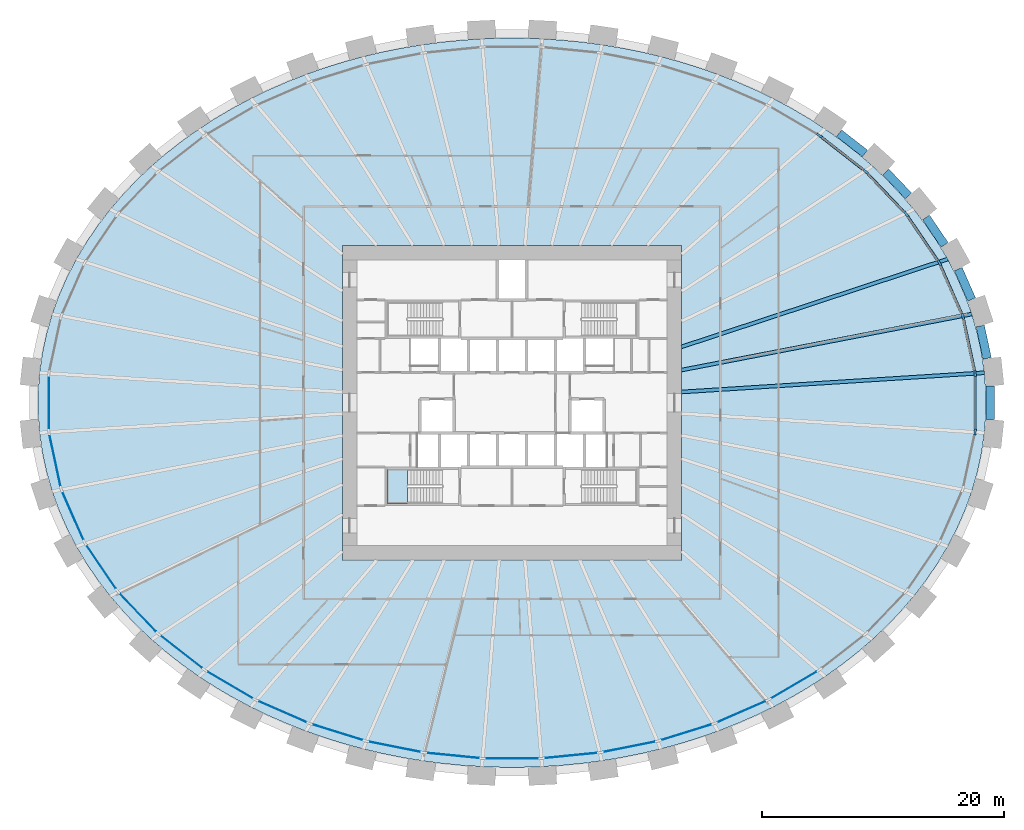
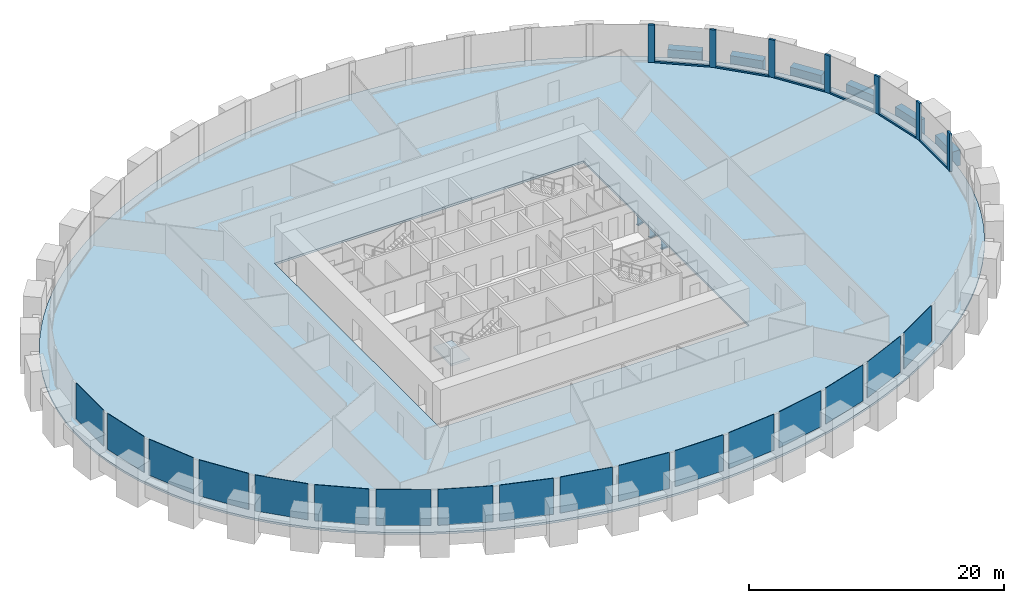
# One storey, part 4 of 10: 17 plates, 13 members, 9 beams, 2 slabs, 2 elements without a shape of their own.
"""IFC4 building model written with IfcOpenShell, lengths in metres."""

import ifcopenshell
import ifcopenshell.guid

model = None  # the IFC model being written
_history = None  # IfcOwnerHistory: only IFC2X3 demands one
_inside = {}  # id of a spatial element -> (the spatial element, [elements in it])
_under = {}  # id of a project, library or spatial element -> (it, [spatial elements below it])
_declared = {}  # id of a project -> (the project, [libraries it declares])
_typed = {}  # id of a type object -> (the type object, [elements of that type])
_made_of = {}  # id of a material, layer set ... -> (it, [elements and type objects made of it])


def new_model(schema):
    """Start an empty IFC model of exactly this schema.

    Asked for "IFC4X3", IfcOpenShell would pick the latest addendum, in which some entities
    have other attributes; the version numbers below select the first issue.
    IFC2X3 requires an IfcOwnerHistory on every rooted entity: one is made here for all.
    """
    global model, _history
    if schema == "IFC4X3":
        model = ifcopenshell.file(schema_version=(4, 3, 0, 0))
    else:
        model = ifcopenshell.file(schema=schema)
    _inside.clear()
    _under.clear()
    _declared.clear()
    _typed.clear()
    _made_of.clear()
    _history = None
    if model.schema == "IFC2X3":
        org = make("IfcOrganization", Name="unknown")
        user = make(
            "IfcPersonAndOrganization",
            ThePerson=make("IfcPerson", FamilyName="unknown"),
            TheOrganization=org,
        )
        app = make(
            "IfcApplication",
            ApplicationDeveloper=org,
            Version="unknown",
            ApplicationFullName="unknown",
            ApplicationIdentifier="unknown",
        )
        _history = make(
            "IfcOwnerHistory",
            OwningUser=user,
            OwningApplication=app,
            ChangeAction="ADDED",
            CreationDate=0,
        )
    return model


def make(cls, **values):
    """One entity of the class cls with the attributes given. An attribute that is None is left unset."""
    return model.create_entity(
        cls, **{name: value for name, value in values.items() if value is not None}
    )


def rooted(cls, **values):
    """An entity with a GlobalId (a new one), such as an element, a storey or a relation."""
    return make(cls, GlobalId=ifcopenshell.guid.new(), OwnerHistory=_history, **values)


def si_unit(unit_type, name, prefix=None):
    """IfcSIUnit, for example si_unit("LENGTHUNIT", "METRE", prefix="MILLI")."""
    return make("IfcSIUnit", UnitType=unit_type, Prefix=prefix, Name=name)


def assignment(units):
    """IfcUnitAssignment: the units of a project."""
    return None if units is None else make("IfcUnitAssignment", Units=units)


def point(xyz):
    """IfcCartesianPoint."""
    return None if xyz is None else make("IfcCartesianPoint", Coordinates=xyz)


def direction(xyz):
    """IfcDirection."""
    return None if xyz is None else make("IfcDirection", DirectionRatios=xyz)


def frame(location, z_axis=None, x_axis=None):
    """IfcAxis2Placement3D, a coordinate frame: its origin and axes. An axis left out is left unset."""
    return make(
        "IfcAxis2Placement3D",
        Location=point(location),
        Axis=direction(z_axis),
        RefDirection=direction(x_axis),
    )


def frame_2d(location, x_axis=None):
    """IfcAxis2Placement2D, a coordinate frame in the plane: its origin and x axis."""
    return make(
        "IfcAxis2Placement2D", Location=point(location), RefDirection=direction(x_axis)
    )


def origin():
    """The frame at (0, 0, 0) with its axes left unset."""
    return frame((0.0, 0.0, 0.0))


def origin_2d():
    """The frame at (0, 0) in the plane with its x axis left unset."""
    return frame_2d((0.0, 0.0))


def place(relative_to, where):
    """IfcLocalPlacement: puts the frame where relative to a parent placement (None: the world)."""
    return make(
        "IfcLocalPlacement", PlacementRelTo=relative_to, RelativePlacement=where
    )


def context(
    kind, dimensions, precision=None, world=None, true_north=None, identifier=None
):
    """IfcGeometricRepresentationContext, for example the 3D "Model" context."""
    return make(
        "IfcGeometricRepresentationContext",
        ContextIdentifier=identifier,
        ContextType=kind,
        CoordinateSpaceDimension=dimensions,
        Precision=precision,
        WorldCoordinateSystem=world,
        TrueNorth=true_north,
    )


def subcontext(parent, identifier, kind, view, scale=None):
    """IfcGeometricRepresentationSubContext, for example "Body" below "Model"."""
    return make(
        "IfcGeometricRepresentationSubContext",
        ContextIdentifier=identifier,
        ContextType=kind,
        ParentContext=parent,
        TargetScale=scale,
        TargetView=view,
    )


def project(units=None, contexts=None):
    """IfcProject with its units and contexts."""
    return rooted(
        "IfcProject",
        Name="project",
        RepresentationContexts=contexts,
        UnitsInContext=assignment(units),
    )


def spatial(cls, under=None, at=None, **own):
    """A site, building, storey or space (cls), placed at a placement, below another one or the project."""
    s = rooted(cls, ObjectPlacement=at, **own)
    if under is not None:
        _under.setdefault(under.id(), (under, []))[1].append(s)
    return s


def polyline(points):
    """IfcPolyline through the points."""
    return make("IfcPolyline", Points=[point(p) for p in points])


def profile(cls, at=None, kind="AREA", **sizes):
    """A parametric profile (cls). Its sizes go by their IFC names, for example OverallWidth=200.0."""
    return make(cls, ProfileType=kind, Position=at, **sizes)


def rectangle(**sizes):
    """IfcRectangleProfileDef."""
    return profile("IfcRectangleProfileDef", **sizes)


def i_section(**sizes):
    """IfcIShapeProfileDef."""
    return profile("IfcIShapeProfileDef", **sizes)


def outline(outer, holes=None, kind="AREA"):
    """IfcArbitraryClosedProfileDef: a profile drawn as a closed curve; with holes, ...WithVoids."""
    if holes is None:
        return make("IfcArbitraryClosedProfileDef", ProfileType=kind, OuterCurve=outer)
    return make(
        "IfcArbitraryProfileDefWithVoids",
        ProfileType=kind,
        OuterCurve=outer,
        InnerCurves=holes,
    )


def extrude(swept, where, along, depth):
    """IfcExtrudedAreaSolid: the profile swept, set in the frame where, extruded along a direction by depth."""
    return make(
        "IfcExtrudedAreaSolid",
        SweptArea=swept,
        Position=where,
        ExtrudedDirection=direction(along),
        Depth=depth,
    )


def shape(context_of_items, identifier, shape_type, items):
    """IfcShapeRepresentation: the items that make up one representation, for example the "Body"."""
    return make(
        "IfcShapeRepresentation",
        ContextOfItems=context_of_items,
        RepresentationIdentifier=identifier,
        RepresentationType=shape_type,
        Items=items,
    )


def source(mapping_origin, context_of_items, identifier, shape_type, items):
    """IfcRepresentationMap: a shape defined once, which mapped items show again and again."""
    return make(
        "IfcRepresentationMap",
        MappingOrigin=mapping_origin,
        MappedRepresentation=shape(context_of_items, identifier, shape_type, items),
    )


def transform(
    local_origin,
    x_axis=None,
    y_axis=None,
    z_axis=None,
    scale=None,
    scale2=None,
    scale3=None,
    uniform=True,
):
    """IfcCartesianTransformationOperator3D, or its non-uniform kind. x_axis, y_axis, z_axis: its Axis1, 2, 3."""
    if uniform:
        return make(
            "IfcCartesianTransformationOperator3D",
            Axis1=direction(x_axis),
            Axis2=direction(y_axis),
            LocalOrigin=point(local_origin),
            Scale=scale,
            Axis3=direction(z_axis),
        )
    return make(
        "IfcCartesianTransformationOperator3DnonUniform",
        Axis1=direction(x_axis),
        Axis2=direction(y_axis),
        LocalOrigin=point(local_origin),
        Scale=scale,
        Axis3=direction(z_axis),
        Scale2=scale2,
        Scale3=scale3,
    )


def mapped(mapping_source, mapping_target):
    """IfcMappedItem: shows the shape of a source again, moved by a transform."""
    return make(
        "IfcMappedItem", MappingSource=mapping_source, MappingTarget=mapping_target
    )


def material(Name=None, Category=None):
    """IfcMaterial."""
    return make("IfcMaterial", Name=Name, Category=Category)


def layer(
    of_material, thickness, ventilated=None, Name=None, Category=None, Priority=None
):
    """IfcMaterialLayer: one layer of a wall or slab, of a material (None: an air gap)."""
    return make(
        "IfcMaterialLayer",
        Material=of_material,
        LayerThickness=thickness,
        IsVentilated=ventilated,
        Name=Name,
        Category=Category,
        Priority=Priority,
    )


def layer_set(layers, Name=None):
    """IfcMaterialLayerSet."""
    return make("IfcMaterialLayerSet", MaterialLayers=layers, LayerSetName=Name)


def material_profile(
    of_material, cross_section, Name=None, Category=None, Priority=None
):
    """IfcMaterialProfile: a cross section and its material."""
    return make(
        "IfcMaterialProfile",
        Name=Name,
        Material=of_material,
        Profile=cross_section,
        Priority=Priority,
        Category=Category,
    )


def profile_set(profiles, Name=None, composite=None):
    """IfcMaterialProfileSet."""
    return make(
        "IfcMaterialProfileSet",
        Name=Name,
        MaterialProfiles=profiles,
        CompositeProfile=composite,
    )


def made_of(thing, what):
    """Note that an element or type object is made of a material, layer set ...; save() writes the relation."""
    if what is not None:
        _made_of.setdefault(what.id(), (what, []))[1].append(thing)
    return thing


def type_object(cls, material=None, **own):
    """A type object (cls), such as IfcWallType, which elements share."""
    return made_of(rooted(cls, **own), material)


def element(
    cls,
    number,
    at=None,
    inside=None,
    cuts=None,
    type_object=None,
    material=None,
    context=None,
    identifier="Body",
    shape_type=None,
    held_by="IfcProductDefinitionShape",
    body=None,
    shapes=None,
    **own,
):
    """One element of the class cls, such as IfcWall. Its Tag is "e" and its number.

    at: its placement. inside: the storey or other place that contains it. cuts: it is an
    opening in that element (IfcRelVoidsElement). A single representation is given by context,
    identifier, shape_type and body (its items); several are given by shapes. held_by: the class
    of the entity that holds the representations. save() writes the other relations.
    """
    e = rooted(cls, Tag="e%d" % number, ObjectPlacement=at, **own)
    if body is not None:
        shapes = [shape(context, identifier, shape_type, body)]
    if shapes is not None:
        e.Representation = make(held_by, Representations=shapes)
    if inside is not None:
        _inside.setdefault(inside.id(), (inside, []))[1].append(e)
    if cuts is not None:
        rooted(
            "IfcRelVoidsElement", RelatingBuildingElement=cuts, RelatedOpeningElement=e
        )
    if type_object is not None:
        _typed.setdefault(type_object.id(), (type_object, []))[1].append(e)
    return made_of(e, material)


def aggregate(whole, parts):
    """IfcRelAggregates: a whole, such as a stair, and the parts it consists of."""
    return rooted("IfcRelAggregates", RelatingObject=whole, RelatedObjects=parts)


def save(model, path):
    """Write the relations noted so far, then the file.

    IfcRelAggregates (storeys below a building ...), IfcRelContainedInSpatialStructure (elements
    in a storey), IfcRelDefinesByType, IfcRelAssociatesMaterial and IfcRelDeclares: one each for
    every whole, place, type object, material and project.
    """
    for whole, parts in _under.values():
        aggregate(whole, parts)
    for where, things in _inside.values():
        rooted(
            "IfcRelContainedInSpatialStructure",
            RelatedElements=things,
            RelatingStructure=where,
        )
    for kind, things in _typed.values():
        rooted("IfcRelDefinesByType", RelatedObjects=things, RelatingType=kind)
    for what, things in _made_of.values():
        rooted("IfcRelAssociatesMaterial", RelatedObjects=things, RelatingMaterial=what)
    for by, libraries in _declared.values():
        rooted("IfcRelDeclares", RelatingContext=by, RelatedDefinitions=libraries)
    model.write(path)


model = new_model("IFC4")

# Units and contexts
model_context = context("Model", 3, precision=1e-05, world=origin(), true_north=direction((0.0, 1.0)))
body_context = subcontext(model_context, "Body", "Model", "MODEL_VIEW")
ifc_project = project(units=[si_unit("LENGTHUNIT", "METRE"), si_unit("AREAUNIT", "SQUARE_METRE"), si_unit("VOLUMEUNIT", "CUBIC_METRE"), si_unit("PLANEANGLEUNIT", "RADIAN"), si_unit("MASSUNIT", "GRAM", prefix="KILO")], contexts=[model_context])

# Site, building, storey
site_placement = place(None, origin())
site = spatial("IfcSite", under=ifc_project, at=site_placement, CompositionType="ELEMENT")
building_placement = place(site_placement, origin())
building = spatial("IfcBuilding", under=site, at=building_placement, Name="Embergate Tower", CompositionType="ELEMENT")
storey_placement = place(building_placement, frame((0.0, 0.0, 121.10009765625)))
storey = spatial("IfcBuildingStorey", under=building, at=storey_placement, Name="L26", CompositionType="ELEMENT", Elevation=121.10009765625)

# Beams
ifc_material_1 = material(Name="Concrete C70", Category="concrete")
ifc_material_profile_1 = material_profile(ifc_material_1, rectangle(XDim=0.699951171875, YDim=1.5, at=origin_2d()), Name="RC 700x1500")
ifc_profile_set_1 = profile_set([ifc_material_profile_1], Name="Concrete C70")
beam_type_1 = type_object("IfcBeamType", Name="Spandrel beam RC 700x1500 C70", PredefinedType="BEAM", material=ifc_profile_set_1)
shared_shape_1 = source(origin(), body_context, "Body", "SweptSolid", [
    extrude(rectangle(XDim=0.699951171875, YDim=1.5, at=origin_2d()), origin(), (0.0, 0.0, 1.0), 2.741455078125),
])
beam_1_placement = place(storey_placement, frame((39.22509765625, 3.657958984375, 0.0), z_axis=(-0.210532507107, 0.977586857241, 0.0), x_axis=(-0.977586857241, -0.210532507107, 0.0)))
element("IfcBeam", 1, at=beam_1_placement, inside=storey, type_object=beam_type_1, Name="SPN-L26-00", PredefinedType="BEAM", context=body_context, shape_type="MappedRepresentation", body=[
    mapped(shared_shape_1, transform((0.0, 0.0, 0.0))),
])
shared_shape_2 = source(origin(), body_context, "Body", "SweptSolid", [
    extrude(rectangle(XDim=0.699951171875, YDim=1.5, at=origin_2d()), origin(), (0.0, 0.0, 1.0), 2.73779296875),
])
beam_2_placement = place(storey_placement, frame((37.94091796875, 8.52587890625, 0.0), z_axis=(-0.401740219387, 0.915753676556, 0.0), x_axis=(-0.915753676556, -0.401740219387, 0.0)))
element("IfcBeam", 2, at=beam_2_placement, inside=storey, type_object=beam_type_1, Name="SPN-L26-01", PredefinedType="BEAM", context=body_context, shape_type="MappedRepresentation", body=[
    mapped(shared_shape_2, transform((0.0, 0.0, 0.0))),
])
shared_shape_3 = source(origin(), body_context, "Body", "SweptSolid", [
    extrude(rectangle(XDim=0.699951171875, YDim=1.5, at=origin_2d()), origin(), (0.0, 0.0, 1.0), 2.727294921875),
])
beam_3_placement = place(storey_placement, frame((35.7099609375, 13.035888671875, 0.0), z_axis=(-0.562422644454, 0.826849907181, 0.0), x_axis=(-0.826849907181, -0.562422644454, 0.0)))
element("IfcBeam", 3, at=beam_3_placement, inside=storey, type_object=beam_type_1, Name="SPN-L26-02", PredefinedType="BEAM", context=body_context, shape_type="MappedRepresentation", body=[
    mapped(shared_shape_3, transform((0.0, 0.0, 0.0))),
])
shared_shape_4 = source(origin(), body_context, "Body", "SweptSolid", [
    extrude(rectangle(XDim=0.699951171875, YDim=1.5, at=origin_2d()), origin(), (0.0, 0.0, 1.0), 2.720947265625),
])
beam_4_placement = place(storey_placement, frame((32.73095703125, 17.0810546875, 0.0), z_axis=(-0.690174788546, 0.723642702759, 0.0), x_axis=(-0.723642702759, -0.690174788546, 0.0)))
element("IfcBeam", 4, at=beam_4_placement, inside=storey, type_object=beam_type_1, Name="SPN-L26-03", PredefinedType="BEAM", context=body_context, shape_type="MappedRepresentation", body=[
    mapped(shared_shape_4, transform((0.0, 0.0, 0.0))),
])
shared_shape_5 = source(origin(), body_context, "Body", "SweptSolid", [
    extrude(rectangle(XDim=0.699951171875, YDim=1.5, at=origin_2d()), origin(), (0.0, 0.0, 1.0), 2.715087890625),
])
beam_5_placement = place(storey_placement, frame((29.135009765625, 20.5791015625, 0.0), z_axis=(-0.788183854673, 0.61543985184, 0.0), x_axis=(-0.61543985184, -0.788183854673, 0.0)))
element("IfcBeam", 5, at=beam_5_placement, inside=storey, type_object=beam_type_1, Name="SPN-L26-04", PredefinedType="BEAM", context=body_context, shape_type="MappedRepresentation", body=[
    mapped(shared_shape_5, transform((0.0, 0.0, 0.0))),
])
shared_shape_6 = source(origin(), body_context, "Body", "SweptSolid", [
    extrude(rectangle(XDim=0.699951171875, YDim=1.5, at=origin_2d()), origin(), (0.0, 0.0, 1.0), 2.7421875),
])
beam_6_placement = place(storey_placement, frame((39.468017578125, -1.37109375, 0.0), z_axis=(0.0, 1.0, 0.0), x_axis=(-1.0, 0.0, 0.0)))
element("IfcBeam", 6, at=beam_6_placement, inside=storey, type_object=beam_type_1, Name="SPN-L26-43", PredefinedType="BEAM", context=body_context, shape_type="MappedRepresentation", body=[
    mapped(shared_shape_6, transform((0.0, 0.0, 0.0))),
])
ifc_material_2 = material(Name="Steel Q355B", Category="steel")
ifc_material_profile_2 = material_profile(ifc_material_2, i_section(OverallWidth=0.300048828125, OverallDepth=0.89990234375, WebThickness=0.01611328125, FlangeThickness=0.028076171875, FilletRadius=0.028076171875, at=origin_2d()), Name="HN 900x300x16x28")
ifc_profile_set_2 = profile_set([ifc_material_profile_2], Name="Steel Q355 grade B")
beam_type_2 = type_object("IfcBeamType", Name="Radial girder HN 900x300x16x28", PredefinedType="BEAM", material=ifc_profile_set_2)
shared_shape_7 = source(origin(), body_context, "Body", "SweptSolid", [
    extrude(i_section(OverallWidth=0.300048828125, OverallDepth=0.89990234375, WebThickness=0.01611328125, FlangeThickness=0.028076171875, FilletRadius=0.028076171875, at=origin_2d()), origin(), (0.0, 0.0, 1.0), 25.04833984375),
])
beam_7_placement = place(storey_placement, frame((38.998046875, 2.47705078125, -0.650146484375), z_axis=(-0.997988035397, -0.063402533111, 0.0), x_axis=(0.063402533111, -0.997988035397, 0.0)))
element("IfcBeam", 7, at=beam_7_placement, inside=storey, type_object=beam_type_2, Name="GIR-L26-00", PredefinedType="BEAM", context=body_context, shape_type="MappedRepresentation", body=[
    mapped(shared_shape_7, transform((0.0, 0.0, 0.0))),
])
shared_shape_8 = source(origin(), body_context, "Body", "SweptSolid", [
    extrude(i_section(OverallWidth=0.300048828125, OverallDepth=0.89990234375, WebThickness=0.01611328125, FlangeThickness=0.028076171875, FilletRadius=0.028076171875, at=origin_2d()), origin(), (0.0, 0.0, 1.0), 24.397705078125),
])
beam_8_placement = place(storey_placement, frame((37.9560546875, 7.322021484375, -0.650146484375), z_axis=(-0.981898654656, -0.18940705368, 0.0), x_axis=(0.18940705368, -0.981898654656, 0.0)))
element("IfcBeam", 8, at=beam_8_placement, inside=storey, type_object=beam_type_2, Name="GIR-L26-01", PredefinedType="BEAM", context=body_context, shape_type="MappedRepresentation", body=[
    mapped(shared_shape_8, transform((0.0, 0.0, 0.0))),
])
shared_shape_9 = source(origin(), body_context, "Body", "SweptSolid", [
    extrude(i_section(OverallWidth=0.300048828125, OverallDepth=0.89990234375, WebThickness=0.01611328125, FlangeThickness=0.028076171875, FilletRadius=0.028076171875, at=origin_2d()), origin(), (0.0, 0.0, 1.0), 23.12890625),
])
beam_9_placement = place(storey_placement, frame((35.965087890625, 11.861083984375, -0.650146484375), z_axis=(-0.949684454756, -0.313208295541, 0.0), x_axis=(0.313208295541, -0.949684454756, 0.0)))
element("IfcBeam", 9, at=beam_9_placement, inside=storey, type_object=beam_type_2, Name="GIR-L26-02", PredefinedType="BEAM", context=body_context, shape_type="MappedRepresentation", body=[
    mapped(shared_shape_9, transform((0.0, 0.0, 0.0))),
])

# Curtain wall, members
ifc_material_3 = material(Name="Aluminium and glass", Category="aluminium")
curtain_wall_type = type_object("IfcCurtainWallType", Name="Recessed office glazing", PredefinedType="NOTDEFINED", material=ifc_material_3)
curtain_wall_placement = place(storey_placement, origin())
curtain_wall = element("IfcCurtainWall", 10, at=curtain_wall_placement, inside=storey, type_object=curtain_wall_type, Name="Recessed office glazing ring", ObjectType="RECESSED OFFICE GLAZING", PredefinedType="USERDEFINED")
ifc_material_4 = material(Name="Aluminium, thermally broken", Category="aluminium")
ifc_material_profile_3 = material_profile(ifc_material_4, rectangle(XDim=0.179931640625, YDim=0.52001953125, at=origin_2d()), Name="AL 520x180")
ifc_profile_set_3 = profile_set([ifc_material_profile_3], Name="Aluminium, thermally broken")
member_type_1 = type_object("IfcMemberType", Name="Office mullion", PredefinedType="MULLION", material=ifc_profile_set_3)
shared_shape_10 = source(origin(), body_context, "Body", "SweptSolid", [
    extrude(rectangle(XDim=0.179931640625, YDim=0.52001953125, at=origin_2d()), origin(), (0.0, 0.0, 1.0), 3.599853515625),
])
member_1_placement = place(storey_placement, frame((38.228759765625, 2.41162109375, 0.0), z_axis=(0.0, 0.0, 1.0), x_axis=(-0.994385139431, -0.105821521816, 0.0)))
member_1 = element("IfcMember", 11, at=member_1_placement, type_object=member_type_1, Name="CW mullion 1", PredefinedType="MULLION", context=body_context, shape_type="MappedRepresentation", body=[
    mapped(shared_shape_10, transform((0.0, 0.0, 0.0))),
])
member_2_placement = place(storey_placement, frame((37.21337890625, 7.129150390625, 0.0), z_axis=(0.0, 0.0, 1.0), x_axis=(-0.951498871907, -0.307652233471, 0.0)))
member_2 = element("IfcMember", 12, at=member_2_placement, type_object=member_type_1, Name="CW mullion 2", PredefinedType="MULLION", context=body_context, shape_type="MappedRepresentation", body=[
    mapped(shared_shape_10, transform((0.0, 0.0, 0.0))),
])
member_3_placement = place(storey_placement, frame((35.2724609375, 11.5546875, 0.0), z_axis=(0.0, 0.0, 1.0), x_axis=(-0.875003585723, -0.484116437412, 0.0)))
member_3 = element("IfcMember", 13, at=member_3_placement, type_object=member_type_1, Name="CW mullion 3", PredefinedType="MULLION", context=body_context, shape_type="MappedRepresentation", body=[
    mapped(shared_shape_10, transform((0.0, 0.0, 0.0))),
])
member_4_placement = place(storey_placement, frame((32.5498046875, 15.558349609375, 0.0), z_axis=(0.0, 0.0, 1.0), x_axis=(-0.777874757957, -0.628419335264, 0.0)))
member_4 = element("IfcMember", 14, at=member_4_placement, type_object=member_type_1, Name="CW mullion 4", PredefinedType="MULLION", context=body_context, shape_type="MappedRepresentation", body=[
    mapped(shared_shape_10, transform((0.0, 0.0, 0.0))),
])
member_5_placement = place(storey_placement, frame((29.202392578125, 19.068359375, 0.0), z_axis=(0.0, 0.0, 1.0), x_axis=(-0.671227827685, -0.741251106806, 0.0)))
member_5 = element("IfcMember", 15, at=member_5_placement, type_object=member_type_1, Name="CW mullion 5", PredefinedType="MULLION", context=body_context, shape_type="MappedRepresentation", body=[
    mapped(shared_shape_10, transform((0.0, 0.0, 0.0))),
])
member_6_placement = place(storey_placement, frame((25.373046875, 22.05712890625, 0.0), z_axis=(0.0, 0.0, 1.0), x_axis=(-0.562217618544, -0.826989328467, 0.0)))
member_6 = element("IfcMember", 16, at=member_6_placement, type_object=member_type_1, Name="CW mullion 6", PredefinedType="MULLION", context=body_context, shape_type="MappedRepresentation", body=[
    mapped(shared_shape_10, transform((0.0, 0.0, 0.0))),
])
member_7_placement = place(storey_placement, frame((38.228759765625, -2.41162109375, 0.0), z_axis=(0.0, 0.0, 1.0), x_axis=(-0.994385139431, 0.105821521816, 0.0)))
member_7 = element("IfcMember", 17, at=member_7_placement, type_object=member_type_1, Name="CW mullion 44", PredefinedType="MULLION", context=body_context, shape_type="MappedRepresentation", body=[
    mapped(shared_shape_10, transform((0.0, 0.0, 0.0))),
])
ifc_material_profile_4 = material_profile(ifc_material_4, rectangle(XDim=0.179931640625, YDim=0.14990234375, at=origin_2d()), Name="AL 150x180")
ifc_profile_set_4 = profile_set([ifc_material_profile_4], Name="Aluminium, thermally broken")
member_type_2 = type_object("IfcMemberType", Name="Office sill transom", PredefinedType="USERDEFINED", material=ifc_profile_set_4)
shared_shape_11 = source(origin(), body_context, "Body", "SweptSolid", [
    extrude(rectangle(XDim=0.179931640625, YDim=0.14990234375, at=origin_2d()), origin(), (0.0, 0.0, 1.0), 4.305908203125),
])
member_8_placement = place(storey_placement, frame((38.174072265625, 2.66552734375, 0.074951171875), z_axis=(-0.210357665869, 0.977624494584, 0.0), x_axis=(-0.977624494584, -0.210357665869, 0.0)))
member_8 = element("IfcMember", 18, at=member_8_placement, type_object=member_type_2, Name="CW transom 1.1", ObjectType="TRANSOM", PredefinedType="USERDEFINED", context=body_context, shape_type="MappedRepresentation", body=[
    mapped(shared_shape_11, transform((0.0, 0.0, 0.0))),
])
shared_shape_12 = source(origin(), body_context, "Body", "SweptSolid", [
    extrude(rectangle(XDim=0.179931640625, YDim=0.14990234375, at=origin_2d()), origin(), (0.0, 0.0, 1.0), 4.3125),
])
member_9_placement = place(storey_placement, frame((37.10888671875, 7.3671875, 0.074951171875), z_axis=(-0.40160568605, 0.915812684413, 0.0), x_axis=(-0.915812684413, -0.40160568605, 0.0)))
member_9 = element("IfcMember", 19, at=member_9_placement, type_object=member_type_2, Name="CW transom 2.1", ObjectType="TRANSOM", PredefinedType="USERDEFINED", context=body_context, shape_type="MappedRepresentation", body=[
    mapped(shared_shape_12, transform((0.0, 0.0, 0.0))),
])
shared_shape_13 = source(origin(), body_context, "Body", "SweptSolid", [
    extrude(rectangle(XDim=0.179931640625, YDim=0.14990234375, at=origin_2d()), origin(), (0.0, 0.0, 1.0), 4.321533203125),
])
member_10_placement = place(storey_placement, frame((35.126220703125, 11.769775390625, 0.074951171875), z_axis=(-0.562342471098, 0.826904435349, 0.0), x_axis=(-0.826904435349, -0.562342471098, 0.0)))
member_10 = element("IfcMember", 20, at=member_10_placement, type_object=member_type_2, Name="CW transom 3.1", ObjectType="TRANSOM", PredefinedType="USERDEFINED", context=body_context, shape_type="MappedRepresentation", body=[
    mapped(shared_shape_13, transform((0.0, 0.0, 0.0))),
])
shared_shape_14 = source(origin(), body_context, "Body", "SweptSolid", [
    extrude(rectangle(XDim=0.179931640625, YDim=0.14990234375, at=origin_2d()), origin(), (0.0, 0.0, 1.0), 4.330322265625),
])
member_11_placement = place(storey_placement, frame((32.370361328125, 15.746337890625, 0.074951171875), z_axis=(-0.690135080162, 0.72368057258, 0.0), x_axis=(-0.72368057258, -0.690135080162, 0.0)))
member_11 = element("IfcMember", 21, at=member_11_placement, type_object=member_type_2, Name="CW transom 4.1", ObjectType="TRANSOM", PredefinedType="USERDEFINED", context=body_context, shape_type="MappedRepresentation", body=[
    mapped(shared_shape_14, transform((0.0, 0.0, 0.0))),
])
shared_shape_15 = source(origin(), body_context, "Body", "SweptSolid", [
    extrude(rectangle(XDim=0.179931640625, YDim=0.14990234375, at=origin_2d()), origin(), (0.0, 0.0, 1.0), 4.337890625),
])
member_12_placement = place(storey_placement, frame((28.99755859375, 19.228271484375, 0.074951171875), z_axis=(-0.788323772989, 0.615260618714, 0.0), x_axis=(-0.615260618714, -0.788323772989, 0.0)))
member_12 = element("IfcMember", 22, at=member_12_placement, type_object=member_type_2, Name="CW transom 5.1", ObjectType="TRANSOM", PredefinedType="USERDEFINED", context=body_context, shape_type="MappedRepresentation", body=[
    mapped(shared_shape_15, transform((0.0, 0.0, 0.0))),
])
shared_shape_16 = source(origin(), body_context, "Body", "SweptSolid", [
    extrude(rectangle(XDim=0.179931640625, YDim=0.14990234375, at=origin_2d()), origin(), (0.0, 0.0, 1.0), 4.30322265625),
])
member_13_placement = place(storey_placement, frame((38.228759765625, -2.151611328125, 0.074951171875), z_axis=(0.0, 1.0, 0.0), x_axis=(-1.0, 0.0, 0.0)))
member_13 = element("IfcMember", 23, at=member_13_placement, type_object=member_type_2, Name="CW transom 44.1", ObjectType="TRANSOM", PredefinedType="USERDEFINED", context=body_context, shape_type="MappedRepresentation", body=[
    mapped(shared_shape_16, transform((0.0, 0.0, 0.0))),
])

# Slab
ifc_material_5 = material(Name="Concrete C40", Category="concrete")
ifc_layer_1 = layer(ifc_material_5, 0.199951171875)
ifc_layer_set_1 = layer_set([ifc_layer_1], Name="Concrete C40")
slab_type_1 = type_object("IfcSlabType", Name="Composite floor slab C40 200", PredefinedType="FLOOR", material=ifc_layer_set_1)
shared_shape_17 = source(origin(), body_context, "Body", "SweptSolid", [
    extrude(outline(polyline([(0.0, 0.0), (1.65576171875, 0.0), (3.308837890625, 0.053955078125), (4.9638671875, 0.162109375), (6.61083984375, 0.323974609375), (8.246826171875, 0.5390625), (9.886962890625, 0.81103515625), (11.509765625, 1.135986328125), (13.11279296875, 1.514892578125), (14.718994140625, 1.952880859375), (16.298828125, 2.446044921875), (17.849853515625, 2.989990234375), (19.40283203125, 3.60107421875), (20.919921875, 4.263916015625), (22.39599609375, 4.97802734375), (23.870849609375, 5.764892578125), (25.296875, 6.60400390625), (26.6728515625, 7.491943359375), (28.037841796875, 8.4619140625), (29.3427734375, 9.47998046875), (30.582763671875, 10.5439453125), (31.7998046875, 11.697021484375), (32.94189453125, 12.89404296875), (34.0048828125, 14.133056640625), (35.02490234375, 15.462890625), (35.954833984375, 16.830078125), (36.79296875, 18.23291015625), (37.560791015625, 19.718017578125), (38.224853515625, 21.23291015625), (38.783935546875, 22.77197265625), (39.244873046875, 24.3720703125), (39.5927734375, 25.988037109375), (39.825927734375, 27.616943359375), (39.94384765625, 29.26708984375), (39.94384765625, 30.9208984375), (39.825927734375, 32.571044921875), (39.5927734375, 34.199951171875), (39.244873046875, 35.81591796875), (38.783935546875, 37.416015625), (38.224853515625, 38.955078125), (37.560791015625, 40.469970703125), (36.79296875, 41.955078125), (35.954833984375, 43.35791015625), (35.02490234375, 44.72509765625), (34.0048828125, 46.054931640625), (32.94189453125, 47.2939453125), (31.7998046875, 48.490966796875), (30.582763671875, 49.64404296875), (29.3427734375, 50.7080078125), (28.037841796875, 51.72607421875), (26.6728515625, 52.696044921875), (25.296875, 53.583984375), (23.870849609375, 54.423095703125), (22.39599609375, 55.2099609375), (20.919921875, 55.924072265625), (19.40283203125, 56.5869140625), (17.849853515625, 57.197998046875), (16.298828125, 57.741943359375), (14.718994140625, 58.235107421875), (13.11279296875, 58.673095703125), (11.509765625, 59.052001953125), (9.886962890625, 59.376953125), (8.246826171875, 59.64892578125), (6.61083984375, 59.864013671875), (4.9638671875, 60.02587890625), (3.308837890625, 60.134033203125), (1.65576171875, 60.18798828125), (0.0, 60.18798828125), (-1.653076171875, 60.134033203125), (-3.30810546875, 60.02587890625), (-4.955078125, 59.864013671875), (-6.591064453125, 59.64892578125), (-8.231201171875, 59.376953125), (-9.85400390625, 59.052001953125), (-11.45703125, 58.673095703125), (-13.063232421875, 58.235107421875), (-14.64306640625, 57.741943359375), (-16.194091796875, 57.197998046875), (-17.7470703125, 56.5869140625), (-19.26416015625, 55.924072265625), (-20.740234375, 55.2099609375), (-22.215087890625, 54.423095703125), (-23.64111328125, 53.583984375), (-25.01708984375, 52.696044921875), (-26.382080078125, 51.72607421875), (-27.68701171875, 50.7080078125), (-28.927001953125, 49.64404296875), (-30.14404296875, 48.490966796875), (-31.2861328125, 47.2939453125), (-32.34912109375, 46.054931640625), (-33.369140625, 44.72509765625), (-34.299072265625, 43.35791015625), (-35.13720703125, 41.955078125), (-35.905029296875, 40.469970703125), (-36.569091796875, 38.955078125), (-37.128173828125, 37.416015625), (-37.589111328125, 35.81591796875), (-37.93701171875, 34.199951171875), (-38.170166015625, 32.571044921875), (-38.2880859375, 30.9208984375), (-38.2880859375, 29.26708984375), (-38.170166015625, 27.616943359375), (-37.93701171875, 25.988037109375), (-37.589111328125, 24.3720703125), (-37.128173828125, 22.77197265625), (-36.569091796875, 21.23291015625), (-35.905029296875, 19.718017578125), (-35.13720703125, 18.23291015625), (-34.299072265625, 16.830078125), (-33.369140625, 15.462890625), (-32.34912109375, 14.133056640625), (-31.2861328125, 12.89404296875), (-30.14404296875, 11.697021484375), (-28.927001953125, 10.5439453125), (-27.68701171875, 9.47998046875), (-26.382080078125, 8.4619140625), (-25.01708984375, 7.491943359375), (-23.64111328125, 6.60400390625), (-22.215087890625, 5.764892578125), (-20.740234375, 4.97802734375), (-19.26416015625, 4.263916015625), (-17.7470703125, 3.60107421875), (-16.194091796875, 2.989990234375), (-14.64306640625, 2.446044921875), (-13.063232421875, 1.952880859375), (-11.45703125, 1.514892578125), (-9.85400390625, 1.135986328125), (-8.231201171875, 0.81103515625), (-6.591064453125, 0.5390625), (-4.955078125, 0.323974609375), (-3.30810546875, 0.162109375), (-1.653076171875, 0.053955078125), (0.0, 0.0)]), holes=[polyline([(-13.172119140625, 17.093994140625), (-13.172119140625, 43.093994140625), (14.827880859375, 43.093994140625), (14.827880859375, 17.093994140625), (-13.172119140625, 17.093994140625)])]), origin(), (0.0, 0.0, 1.0), 0.2001953125),
])
slab_1_placement = place(storey_placement, frame((-0.827880859375, -30.093994140625, -0.2001953125)))
element("IfcSlab", 24, at=slab_1_placement, inside=storey, type_object=slab_type_1, Name="SLB-L26-00", PredefinedType="FLOOR", context=body_context, shape_type="MappedRepresentation", body=[
    mapped(shared_shape_17, transform((0.0, 0.0, 0.0))),
])

# Plate
ifc_material_6 = material(Name="Triple glazing, low-emissivity coating", Category="glass")
ifc_layer_2 = layer(ifc_material_6, 0.035888671875)
ifc_layer_set_2 = layer_set([ifc_layer_2], Name="Triple glazing, low-emissivity coating")
plate_type = type_object("IfcPlateType", Name="Office glazing unit", PredefinedType="CURTAIN_PANEL", material=ifc_layer_set_2)
shared_shape_18 = source(origin(), body_context, "Body", "SweptSolid", [
    extrude(rectangle(XDim=4.3056640625, YDim=0.035888671875, at=origin_2d()), origin(), (0.0, 0.0, 1.0), 3.449951171875),
])
plate_1_placement = place(storey_placement, frame((-37.72119140625, -4.770263671875, 0.14990234375), z_axis=(0.0, 0.0, 1.0), x_axis=(0.210398391177, -0.97761573074, 0.0)))
plate_1 = element("IfcPlate", 25, at=plate_1_placement, type_object=plate_type, Name="CW panel 23.1", PredefinedType="CURTAIN_PANEL", context=body_context, shape_type="MappedRepresentation", body=[
    mapped(shared_shape_18, transform((0.0, 0.0, 0.0))),
])

shared_shape_19 = source(origin(), body_context, "Body", "SweptSolid", [
    extrude(rectangle(XDim=4.3125, YDim=0.035888671875, at=origin_2d()), origin(), (0.0, 0.0, 1.0), 3.449951171875),
])
plate_2_placement = place(storey_placement, frame((-36.242919921875, -9.341796875, 0.14990234375), z_axis=(0.0, 0.0, 1.0), x_axis=(0.401652101157, -0.91579232888, 0.0)))
plate_2 = element("IfcPlate", 26, at=plate_2_placement, type_object=plate_type, Name="CW panel 24.1", PredefinedType="CURTAIN_PANEL", context=body_context, shape_type="MappedRepresentation", body=[
    mapped(shared_shape_19, transform((0.0, 0.0, 0.0))),
])

shared_shape_20 = source(origin(), body_context, "Body", "SweptSolid", [
    extrude(rectangle(XDim=4.321533203125, YDim=0.035888671875, at=origin_2d()), origin(), (0.0, 0.0, 1.0), 3.449951171875),
])
plate_3_placement = place(storey_placement, frame((-33.9111328125, -13.556396484375, 0.14990234375), z_axis=(0.0, 0.0, 1.0), x_axis=(0.562341741915, -0.826904931234, 0.0)))
plate_3 = element("IfcPlate", 27, at=plate_3_placement, type_object=plate_type, Name="CW panel 25.1", PredefinedType="CURTAIN_PANEL", context=body_context, shape_type="MappedRepresentation", body=[
    mapped(shared_shape_20, transform((0.0, 0.0, 0.0))),
])

shared_shape_21 = source(origin(), body_context, "Body", "SweptSolid", [
    extrude(rectangle(XDim=4.330322265625, YDim=0.035888671875, at=origin_2d()), origin(), (0.0, 0.0, 1.0), 3.449951171875),
])
plate_4_placement = place(storey_placement, frame((-30.876220703125, -17.313232421875, 0.14990234375), z_axis=(0.0, 0.0, 1.0), x_axis=(0.690135047526, -0.723680603703, 0.0)))
plate_4 = element("IfcPlate", 28, at=plate_4_placement, type_object=plate_type, Name="CW panel 26.1", PredefinedType="CURTAIN_PANEL", context=body_context, shape_type="MappedRepresentation", body=[
    mapped(shared_shape_21, transform((0.0, 0.0, 0.0))),
])

shared_shape_22 = source(origin(), body_context, "Body", "SweptSolid", [
    extrude(rectangle(XDim=4.337890625, YDim=0.035888671875, at=origin_2d()), origin(), (0.0, 0.0, 1.0), 3.449951171875),
])
plate_5_placement = place(storey_placement, frame((-27.28759765625, -20.562744140625, 0.14990234375), z_axis=(0.0, 0.0, 1.0), x_axis=(0.788320119254, -0.615265300158, 0.0)))
plate_5 = element("IfcPlate", 29, at=plate_5_placement, type_object=plate_type, Name="CW panel 27.1", PredefinedType="CURTAIN_PANEL", context=body_context, shape_type="MappedRepresentation", body=[
    mapped(shared_shape_22, transform((0.0, 0.0, 0.0))),
])

shared_shape_23 = source(origin(), body_context, "Body", "SweptSolid", [
    extrude(rectangle(XDim=4.34375, YDim=0.035888671875, at=origin_2d()), origin(), (0.0, 0.0, 1.0), 3.449951171875),
])
plate_6_placement = place(storey_placement, frame((-23.276611328125, -23.289794921875, 0.14990234375), z_axis=(0.0, 0.0, 1.0), x_axis=(0.862053167811, -0.50681785275, 0.0)))
plate_6 = element("IfcPlate", 30, at=plate_6_placement, type_object=plate_type, Name="CW panel 28.1", PredefinedType="CURTAIN_PANEL", context=body_context, shape_type="MappedRepresentation", body=[
    mapped(shared_shape_23, transform((0.0, 0.0, 0.0))),
])

plate_7_placement = place(storey_placement, frame((23.276611328125, -23.289794921875, 0.14990234375), z_axis=(0.0, 0.0, 1.0), x_axis=(0.862053167811, 0.50681785275, 0.0)))
plate_7 = element("IfcPlate", 31, at=plate_7_placement, type_object=plate_type, Name="CW panel 38.1", PredefinedType="CURTAIN_PANEL", context=body_context, shape_type="MappedRepresentation", body=[
    mapped(shared_shape_23, transform((0.0, 0.0, 0.0))),
])

shared_shape_24 = source(origin(), body_context, "Body", "SweptSolid", [
    extrude(rectangle(XDim=4.348388671875, YDim=0.035888671875, at=origin_2d()), origin(), (0.0, 0.0, 1.0), 3.449951171875),
])
plate_8_placement = place(storey_placement, frame((-18.949951171875, -25.497314453125, 0.14990234375), z_axis=(0.0, 0.0, 1.0), x_axis=(0.916236211741, -0.400638495772, 0.0)))
plate_8 = element("IfcPlate", 32, at=plate_8_placement, type_object=plate_type, Name="CW panel 29.1", PredefinedType="CURTAIN_PANEL", context=body_context, shape_type="MappedRepresentation", body=[
    mapped(shared_shape_24, transform((0.0, 0.0, 0.0))),
])

plate_9_placement = place(storey_placement, frame((18.949951171875, -25.497314453125, 0.14990234375), z_axis=(0.0, 0.0, 1.0), x_axis=(0.916236211741, 0.400638495772, 0.0)))
plate_9 = element("IfcPlate", 33, at=plate_9_placement, type_object=plate_type, Name="CW panel 37.1", PredefinedType="CURTAIN_PANEL", context=body_context, shape_type="MappedRepresentation", body=[
    mapped(shared_shape_24, transform((0.0, 0.0, 0.0))),
])

shared_shape_25 = source(origin(), body_context, "Body", "SweptSolid", [
    extrude(rectangle(XDim=4.351806640625, YDim=0.035888671875, at=origin_2d()), origin(), (0.0, 0.0, 1.0), 3.449951171875),
])
plate_10_placement = place(storey_placement, frame((-14.393798828125, -27.197021484375, 0.14990234375), z_axis=(0.0, 0.0, 1.0), x_axis=(0.954772217174, -0.297338213676, 0.0)))
plate_10 = element("IfcPlate", 34, at=plate_10_placement, type_object=plate_type, Name="CW panel 30.1", PredefinedType="CURTAIN_PANEL", context=body_context, shape_type="MappedRepresentation", body=[
    mapped(shared_shape_25, transform((0.0, 0.0, 0.0))),
])

plate_11_placement = place(storey_placement, frame((14.393798828125, -27.197021484375, 0.14990234375), z_axis=(0.0, 0.0, 1.0), x_axis=(0.954772217174, 0.297338213676, 0.0)))
plate_11 = element("IfcPlate", 35, at=plate_11_placement, type_object=plate_type, Name="CW panel 36.1", PredefinedType="CURTAIN_PANEL", context=body_context, shape_type="MappedRepresentation", body=[
    mapped(shared_shape_25, transform((0.0, 0.0, 0.0))),
])

shared_shape_26 = source(origin(), body_context, "Body", "SweptSolid", [
    extrude(rectangle(XDim=4.35400390625, YDim=0.035888671875, at=origin_2d()), origin(), (0.0, 0.0, 1.0), 3.449951171875),
])
plate_12_placement = place(storey_placement, frame((-9.678955078125, -28.400390625, 0.14990234375), z_axis=(0.0, 0.0, 1.0), x_axis=(0.980475907409, -0.196639250889, 0.0)))
plate_12 = element("IfcPlate", 36, at=plate_12_placement, type_object=plate_type, Name="CW panel 31.1", PredefinedType="CURTAIN_PANEL", context=body_context, shape_type="MappedRepresentation", body=[
    mapped(shared_shape_26, transform((0.0, 0.0, 0.0))),
])

plate_13_placement = place(storey_placement, frame((9.678955078125, -28.400390625, 0.14990234375), z_axis=(0.0, 0.0, 1.0), x_axis=(0.980475907409, 0.196639250889, 0.0)))
plate_13 = element("IfcPlate", 37, at=plate_13_placement, type_object=plate_type, Name="CW panel 35.1", PredefinedType="CURTAIN_PANEL", context=body_context, shape_type="MappedRepresentation", body=[
    mapped(shared_shape_26, transform((0.0, 0.0, 0.0))),
])

shared_shape_27 = source(origin(), body_context, "Body", "SweptSolid", [
    extrude(rectangle(XDim=4.355224609375, YDim=0.035888671875, at=origin_2d()), origin(), (0.0, 0.0, 1.0), 3.449951171875),
])
plate_14_placement = place(storey_placement, frame((-4.86376953125, -29.117919921875, 0.14990234375), z_axis=(0.0, 0.0, 1.0), x_axis=(0.995203184788, -0.097829550688, 0.0)))
plate_14 = element("IfcPlate", 38, at=plate_14_placement, type_object=plate_type, Name="CW panel 32.1", PredefinedType="CURTAIN_PANEL", context=body_context, shape_type="MappedRepresentation", body=[
    mapped(shared_shape_27, transform((0.0, 0.0, 0.0))),
])

plate_15_placement = place(storey_placement, frame((4.86376953125, -29.117919921875, 0.14990234375), z_axis=(0.0, 0.0, 1.0), x_axis=(0.995203184788, 0.097829550688, 0.0)))
plate_15 = element("IfcPlate", 39, at=plate_15_placement, type_object=plate_type, Name="CW panel 34.1", PredefinedType="CURTAIN_PANEL", context=body_context, shape_type="MappedRepresentation", body=[
    mapped(shared_shape_27, transform((0.0, 0.0, 0.0))),
])

shared_shape_28 = source(origin(), body_context, "Body", "SweptSolid", [
    extrude(rectangle(XDim=4.355712890625, YDim=0.035888671875, at=origin_2d()), origin(), (0.0, 0.0, 1.0), 3.449951171875),
])
plate_16_placement = place(storey_placement, frame((0.0, -29.3564453125, 0.14990234375), z_axis=(0.0, 0.0, 1.0), x_axis=(1.0, 0.0, 0.0)))
plate_16 = element("IfcPlate", 40, at=plate_16_placement, type_object=plate_type, Name="CW panel 33.1", PredefinedType="CURTAIN_PANEL", context=body_context, shape_type="MappedRepresentation", body=[
    mapped(shared_shape_28, transform((0.0, 0.0, 0.0))),
])

shared_shape_29 = source(origin(), body_context, "Body", "SweptSolid", [
    extrude(rectangle(XDim=4.302978515625, YDim=0.035888671875, at=origin_2d()), origin(), (0.0, 0.0, 1.0), 3.449951171875),
])
plate_17_placement = place(storey_placement, frame((-38.228759765625, 0.0, 0.14990234375), z_axis=(0.0, 0.0, 1.0), x_axis=(0.0, -1.0, 0.0)))
plate_17 = element("IfcPlate", 41, at=plate_17_placement, type_object=plate_type, Name="CW panel 22.1", PredefinedType="CURTAIN_PANEL", context=body_context, shape_type="MappedRepresentation", body=[
    mapped(shared_shape_29, transform((0.0, 0.0, 0.0))),
])

aggregate(curtain_wall, [member_1, member_2, member_3, member_4, member_5, member_6, member_7, member_8, member_9, member_10, member_11, member_12, plate_17, plate_1, plate_2, plate_3, plate_4, plate_5, plate_6, plate_8, plate_10, plate_12, plate_14, plate_16, plate_15, plate_13, plate_11, plate_9, plate_7, member_13])

# Stair, slab
ifc_material_7 = material(Name="Exit stair")
stair_type = type_object("IfcStairType", Name="Exit stair", PredefinedType="HALF_TURN_STAIR", material=ifc_material_7)
stair_placement = place(storey_placement, origin())
stair = element("IfcStair", 42, at=stair_placement, inside=storey, type_object=stair_type, Name="L26 Exit stair 3", PredefinedType="HALF_TURN_STAIR")
ifc_layer_3 = layer(ifc_material_5, 0.199951171875)
ifc_layer_set_3 = layer_set([ifc_layer_3], Name="Concrete C40")
slab_type_2 = type_object("IfcSlabType", Name="Stair landing reinforced concrete", PredefinedType="LANDING", material=ifc_layer_set_3)
shared_shape_30 = source(origin(), body_context, "Body", "SweptSolid", [
    extrude(outline(polyline([(0.0, 0.0), (1.68994140625, 0.0), (1.68994140625, 2.800048828125), (0.0, 2.800048828125), (0.0, 0.0)])), origin(), (0.0, 0.0, 1.0), 0.199951171875),
])
slab_2_placement = place(storey_placement, frame((-10.300048828125, -8.300048828125, 1.75)))
slab_2 = element("IfcSlab", 43, at=slab_2_placement, type_object=slab_type_2, Name="ST3 landing 1", PredefinedType="LANDING", context=body_context, shape_type="MappedRepresentation", body=[
    mapped(shared_shape_30, transform((0.0, 0.0, 0.0))),
])
aggregate(stair, [slab_2])

save(model, "model.ifc")
